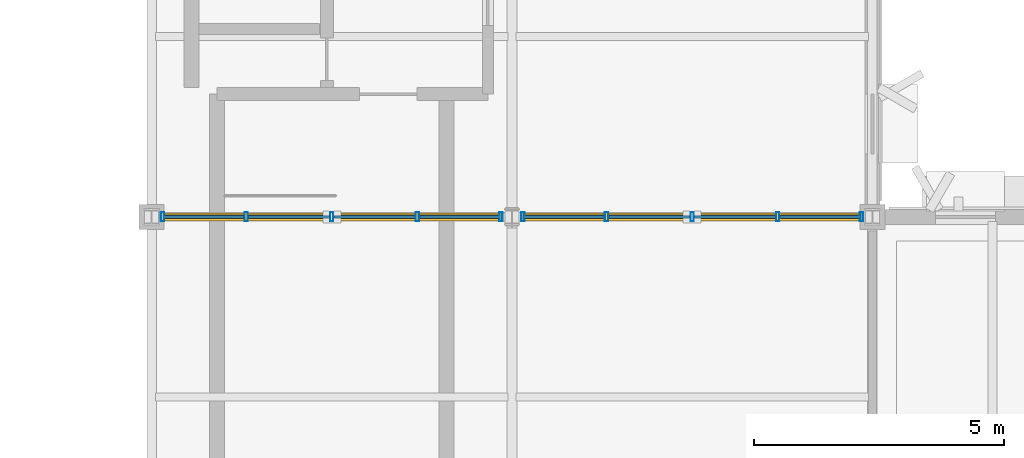
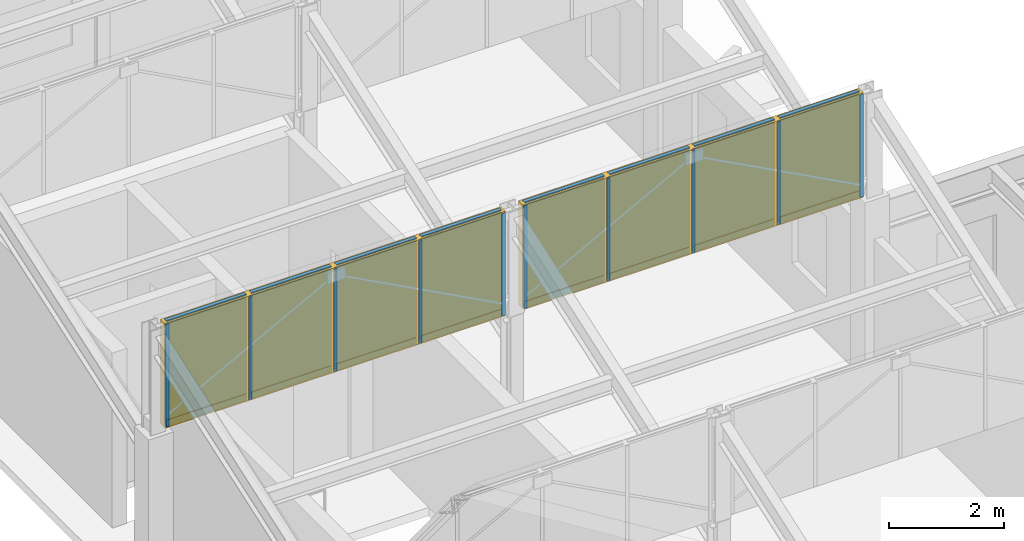
# One storey, part 52 of 82: 26 members, 8 plates, 2 curtain walls.
"""IFC4 building model written with IfcOpenShell, lengths in metres."""

from ifc_helpers import new_model, si_unit, direction, frame, origin, origin_2d, place, context, subcontext, project, spatial, rectangle, hollow_rectangle, extrude, material, layer, layer_set, material_profile, profile_set, type_object, element, aggregate, save


model = new_model("IFC4")

# Units and contexts
model_context = context("Model", 3, precision=1e-05, world=origin(), true_north=direction((0.0, 1.0)))
body_context = subcontext(model_context, "Body", "Model", "MODEL_VIEW")
ifc_project = project(units=[si_unit("LENGTHUNIT", "METRE"), si_unit("AREAUNIT", "SQUARE_METRE"), si_unit("VOLUMEUNIT", "CUBIC_METRE"), si_unit("PLANEANGLEUNIT", "RADIAN"), si_unit("MASSUNIT", "GRAM", prefix="KILO")], contexts=[model_context])

# Member
ifc_material_1 = material(Name="Anodized Aluminium 6063-T6", Category="aluminium")
ifc_material_profile_1 = material_profile(ifc_material_1, hollow_rectangle(XDim=0.06494140625, YDim=0.179931640625, WallThickness=0.00390625, at=origin_2d()), Name="ALU 65x180x4")
ifc_profile_set_1 = profile_set([ifc_material_profile_1], Name="Anodized Aluminium 6063-T6")
member_type_1 = type_object("IfcMemberType", Name="CWM-65X150", PredefinedType="MULLION", material=ifc_profile_set_1)
site_placement = place(None, origin())
building_placement = place(site_placement, origin())
storey_placement = place(building_placement, frame((0.0, 0.0, 14.10009765625)))
member_1_placement = place(storey_placement, frame((122.6201171875, 57.60009765625, 3.919921875), z_axis=(0.0, 0.0, 1.0), x_axis=(1.0, 0.0, 0.0)))
member_1 = element("IfcMember", 1, at=member_1_placement, type_object=member_type_1, Name="Curtain wall mullion CW-CLER-17-07-00", PredefinedType="MULLION", context=body_context, shape_type="SweptSolid", body=[
    extrude(hollow_rectangle(XDim=0.06494140625, YDim=0.179931640625, WallThickness=0.00390625, at=origin_2d()), origin(), (0.0, 0.0, 1.0), 2.179931640625),
])

member_2_placement = place(storey_placement, frame((124.2900390625, 57.60009765625, 3.919921875), z_axis=(0.0, 0.0, 1.0), x_axis=(1.0, 0.0, 0.0)))
member_2 = element("IfcMember", 2, at=member_2_placement, type_object=member_type_1, Name="Curtain wall mullion CW-CLER-17-07-01", PredefinedType="MULLION", context=body_context, shape_type="SweptSolid", body=[
    extrude(hollow_rectangle(XDim=0.06494140625, YDim=0.179931640625, WallThickness=0.00390625, at=origin_2d()), origin(), (0.0, 0.0, 1.0), 2.179931640625),
])

member_3_placement = place(storey_placement, frame((126.0, 57.60009765625, 3.919921875), z_axis=(0.0, 0.0, 1.0), x_axis=(1.0, 0.0, 0.0)))
member_3 = element("IfcMember", 3, at=member_3_placement, type_object=member_type_1, Name="Curtain wall mullion CW-CLER-17-07-02", PredefinedType="MULLION", context=body_context, shape_type="SweptSolid", body=[
    extrude(hollow_rectangle(XDim=0.06494140625, YDim=0.179931640625, WallThickness=0.00390625, at=origin_2d()), origin(), (0.0, 0.0, 1.0), 2.179931640625),
])

member_4_placement = place(storey_placement, frame((127.7099609375, 57.60009765625, 3.919921875), z_axis=(0.0, 0.0, 1.0), x_axis=(1.0, 0.0, 0.0)))
member_4 = element("IfcMember", 4, at=member_4_placement, type_object=member_type_1, Name="Curtain wall mullion CW-CLER-17-07-03", PredefinedType="MULLION", context=body_context, shape_type="SweptSolid", body=[
    extrude(hollow_rectangle(XDim=0.06494140625, YDim=0.179931640625, WallThickness=0.00390625, at=origin_2d()), origin(), (0.0, 0.0, 1.0), 2.179931640625),
])

member_5_placement = place(storey_placement, frame((129.3798828125, 57.60009765625, 3.919921875), z_axis=(0.0, 0.0, 1.0), x_axis=(1.0, 0.0, 0.0)))
member_5 = element("IfcMember", 5, at=member_5_placement, type_object=member_type_1, Name="Curtain wall mullion CW-CLER-17-07-04", PredefinedType="MULLION", context=body_context, shape_type="SweptSolid", body=[
    extrude(hollow_rectangle(XDim=0.06494140625, YDim=0.179931640625, WallThickness=0.00390625, at=origin_2d()), origin(), (0.0, 0.0, 1.0), 2.179931640625),
])

member_6_placement = place(storey_placement, frame((129.820068359375, 57.60009765625, 3.919921875), z_axis=(0.0, 0.0, 1.0), x_axis=(1.0, 0.0, 0.0)))
member_6 = element("IfcMember", 6, at=member_6_placement, type_object=member_type_1, Name="Curtain wall mullion CW-CLER-18-07-00", PredefinedType="MULLION", context=body_context, shape_type="SweptSolid", body=[
    extrude(hollow_rectangle(XDim=0.06494140625, YDim=0.179931640625, WallThickness=0.00390625, at=origin_2d()), origin(), (0.0, 0.0, 1.0), 2.179931640625),
])

member_7_placement = place(storey_placement, frame((131.489990234375, 57.60009765625, 3.919921875), z_axis=(0.0, 0.0, 1.0), x_axis=(1.0, 0.0, 0.0)))
member_7 = element("IfcMember", 7, at=member_7_placement, type_object=member_type_1, Name="Curtain wall mullion CW-CLER-18-07-01", PredefinedType="MULLION", context=body_context, shape_type="SweptSolid", body=[
    extrude(hollow_rectangle(XDim=0.06494140625, YDim=0.179931640625, WallThickness=0.00390625, at=origin_2d()), origin(), (0.0, 0.0, 1.0), 2.179931640625),
])

member_8_placement = place(storey_placement, frame((133.199951171875, 57.60009765625, 3.919921875), z_axis=(0.0, 0.0, 1.0), x_axis=(1.0, 0.0, 0.0)))
member_8 = element("IfcMember", 8, at=member_8_placement, type_object=member_type_1, Name="Curtain wall mullion CW-CLER-18-07-02", PredefinedType="MULLION", context=body_context, shape_type="SweptSolid", body=[
    extrude(hollow_rectangle(XDim=0.06494140625, YDim=0.179931640625, WallThickness=0.00390625, at=origin_2d()), origin(), (0.0, 0.0, 1.0), 2.179931640625),
])

member_9_placement = place(storey_placement, frame((134.909912109375, 57.60009765625, 3.919921875), z_axis=(0.0, 0.0, 1.0), x_axis=(1.0, 0.0, 0.0)))
member_9 = element("IfcMember", 9, at=member_9_placement, type_object=member_type_1, Name="Curtain wall mullion CW-CLER-18-07-03", PredefinedType="MULLION", context=body_context, shape_type="SweptSolid", body=[
    extrude(hollow_rectangle(XDim=0.06494140625, YDim=0.179931640625, WallThickness=0.00390625, at=origin_2d()), origin(), (0.0, 0.0, 1.0), 2.179931640625),
])

member_10_placement = place(storey_placement, frame((136.580078125, 57.60009765625, 3.919921875), z_axis=(0.0, 0.0, 1.0), x_axis=(1.0, 0.0, 0.0)))
member_10 = element("IfcMember", 10, at=member_10_placement, type_object=member_type_1, Name="Curtain wall mullion CW-CLER-18-07-04", PredefinedType="MULLION", context=body_context, shape_type="SweptSolid", body=[
    extrude(hollow_rectangle(XDim=0.06494140625, YDim=0.179931640625, WallThickness=0.00390625, at=origin_2d()), origin(), (0.0, 0.0, 1.0), 2.179931640625),
])

ifc_material_profile_2 = material_profile(ifc_material_1, hollow_rectangle(XDim=0.06494140625, YDim=0.139892578125, WallThickness=0.00390625, at=origin_2d()), Name="ALU 65x140x4")
ifc_profile_set_2 = profile_set([ifc_material_profile_2], Name="Anodized Aluminium 6063-T6")
member_type_2 = type_object("IfcMemberType", Name="CWT-65X120", PredefinedType="USERDEFINED", material=ifc_profile_set_2)
member_11_placement = place(storey_placement, frame((122.6298828125, 57.60009765625, 3.949951171875), z_axis=(1.0, 0.0, 0.0), x_axis=(0.0, 1.0, 0.0)))
member_11 = element("IfcMember", 11, at=member_11_placement, type_object=member_type_2, Name="Curtain wall transom CW-CLER-17-07-1.01", ObjectType="TRANSOM", PredefinedType="USERDEFINED", context=body_context, shape_type="SweptSolid", body=[
    extrude(hollow_rectangle(XDim=0.06494140625, YDim=0.139892578125, WallThickness=0.00390625, at=origin_2d()), origin(), (0.0, 0.0, 1.0), 1.610107421875),
])

member_12_placement = place(storey_placement, frame((124.340087890625, 57.60009765625, 3.949951171875), z_axis=(1.0, 0.0, 0.0), x_axis=(0.0, 1.0, 0.0)))
member_12 = element("IfcMember", 12, at=member_12_placement, type_object=member_type_2, Name="Curtain wall transom CW-CLER-17-07-1.02", ObjectType="TRANSOM", PredefinedType="USERDEFINED", context=body_context, shape_type="SweptSolid", body=[
    extrude(hollow_rectangle(XDim=0.06494140625, YDim=0.139892578125, WallThickness=0.00390625, at=origin_2d()), origin(), (0.0, 0.0, 1.0), 1.60986328125),
])

member_13_placement = place(storey_placement, frame((126.050048828125, 57.60009765625, 3.949951171875), z_axis=(1.0, 0.0, 0.0), x_axis=(0.0, 1.0, 0.0)))
member_13 = element("IfcMember", 13, at=member_13_placement, type_object=member_type_2, Name="Curtain wall transom CW-CLER-17-07-1.03", ObjectType="TRANSOM", PredefinedType="USERDEFINED", context=body_context, shape_type="SweptSolid", body=[
    extrude(hollow_rectangle(XDim=0.06494140625, YDim=0.139892578125, WallThickness=0.00390625, at=origin_2d()), origin(), (0.0, 0.0, 1.0), 1.60986328125),
])

member_14_placement = place(storey_placement, frame((127.760009765625, 57.60009765625, 3.949951171875), z_axis=(1.0, 0.0, 0.0), x_axis=(0.0, 1.0, 0.0)))
member_14 = element("IfcMember", 14, at=member_14_placement, type_object=member_type_2, Name="Curtain wall transom CW-CLER-17-07-1.04", ObjectType="TRANSOM", PredefinedType="USERDEFINED", context=body_context, shape_type="SweptSolid", body=[
    extrude(hollow_rectangle(XDim=0.06494140625, YDim=0.139892578125, WallThickness=0.00390625, at=origin_2d()), origin(), (0.0, 0.0, 1.0), 1.610107421875),
])

member_15_placement = place(storey_placement, frame((122.6298828125, 57.60009765625, 6.06982421875), z_axis=(1.0, 0.0, 0.0), x_axis=(0.0, 1.0, 0.0)))
member_15 = element("IfcMember", 15, at=member_15_placement, type_object=member_type_2, Name="Curtain wall transom CW-CLER-17-07-2.01", ObjectType="TRANSOM", PredefinedType="USERDEFINED", context=body_context, shape_type="SweptSolid", body=[
    extrude(hollow_rectangle(XDim=0.06494140625, YDim=0.139892578125, WallThickness=0.00390625, at=origin_2d()), origin(), (0.0, 0.0, 1.0), 1.610107421875),
])

member_16_placement = place(storey_placement, frame((124.340087890625, 57.60009765625, 6.06982421875), z_axis=(1.0, 0.0, 0.0), x_axis=(0.0, 1.0, 0.0)))
member_16 = element("IfcMember", 16, at=member_16_placement, type_object=member_type_2, Name="Curtain wall transom CW-CLER-17-07-2.02", ObjectType="TRANSOM", PredefinedType="USERDEFINED", context=body_context, shape_type="SweptSolid", body=[
    extrude(hollow_rectangle(XDim=0.06494140625, YDim=0.139892578125, WallThickness=0.00390625, at=origin_2d()), origin(), (0.0, 0.0, 1.0), 1.60986328125),
])

member_17_placement = place(storey_placement, frame((126.050048828125, 57.60009765625, 6.06982421875), z_axis=(1.0, 0.0, 0.0), x_axis=(0.0, 1.0, 0.0)))
member_17 = element("IfcMember", 17, at=member_17_placement, type_object=member_type_2, Name="Curtain wall transom CW-CLER-17-07-2.03", ObjectType="TRANSOM", PredefinedType="USERDEFINED", context=body_context, shape_type="SweptSolid", body=[
    extrude(hollow_rectangle(XDim=0.06494140625, YDim=0.139892578125, WallThickness=0.00390625, at=origin_2d()), origin(), (0.0, 0.0, 1.0), 1.60986328125),
])

member_18_placement = place(storey_placement, frame((127.760009765625, 57.60009765625, 6.06982421875), z_axis=(1.0, 0.0, 0.0), x_axis=(0.0, 1.0, 0.0)))
member_18 = element("IfcMember", 18, at=member_18_placement, type_object=member_type_2, Name="Curtain wall transom CW-CLER-17-07-2.04", ObjectType="TRANSOM", PredefinedType="USERDEFINED", context=body_context, shape_type="SweptSolid", body=[
    extrude(hollow_rectangle(XDim=0.06494140625, YDim=0.139892578125, WallThickness=0.00390625, at=origin_2d()), origin(), (0.0, 0.0, 1.0), 1.610107421875),
])

member_19_placement = place(storey_placement, frame((129.830078125, 57.60009765625, 3.949951171875), z_axis=(1.0, 0.0, 0.0), x_axis=(0.0, 1.0, 0.0)))
member_19 = element("IfcMember", 19, at=member_19_placement, type_object=member_type_2, Name="Curtain wall transom CW-CLER-18-07-1.01", ObjectType="TRANSOM", PredefinedType="USERDEFINED", context=body_context, shape_type="SweptSolid", body=[
    extrude(hollow_rectangle(XDim=0.06494140625, YDim=0.139892578125, WallThickness=0.00390625, at=origin_2d()), origin(), (0.0, 0.0, 1.0), 1.60986328125),
])

member_20_placement = place(storey_placement, frame((131.5400390625, 57.60009765625, 3.949951171875), z_axis=(1.0, 0.0, 0.0), x_axis=(0.0, 1.0, 0.0)))
member_20 = element("IfcMember", 20, at=member_20_placement, type_object=member_type_2, Name="Curtain wall transom CW-CLER-18-07-1.02", ObjectType="TRANSOM", PredefinedType="USERDEFINED", context=body_context, shape_type="SweptSolid", body=[
    extrude(hollow_rectangle(XDim=0.06494140625, YDim=0.139892578125, WallThickness=0.00390625, at=origin_2d()), origin(), (0.0, 0.0, 1.0), 1.60986328125),
])

member_21_placement = place(storey_placement, frame((133.25, 57.60009765625, 3.949951171875), z_axis=(1.0, 0.0, 0.0), x_axis=(0.0, 1.0, 0.0)))
member_21 = element("IfcMember", 21, at=member_21_placement, type_object=member_type_2, Name="Curtain wall transom CW-CLER-18-07-1.03", ObjectType="TRANSOM", PredefinedType="USERDEFINED", context=body_context, shape_type="SweptSolid", body=[
    extrude(hollow_rectangle(XDim=0.06494140625, YDim=0.139892578125, WallThickness=0.00390625, at=origin_2d()), origin(), (0.0, 0.0, 1.0), 1.610107421875),
])

member_22_placement = place(storey_placement, frame((134.9599609375, 57.60009765625, 3.949951171875), z_axis=(1.0, 0.0, 0.0), x_axis=(0.0, 1.0, 0.0)))
member_22 = element("IfcMember", 22, at=member_22_placement, type_object=member_type_2, Name="Curtain wall transom CW-CLER-18-07-1.04", ObjectType="TRANSOM", PredefinedType="USERDEFINED", context=body_context, shape_type="SweptSolid", body=[
    extrude(hollow_rectangle(XDim=0.06494140625, YDim=0.139892578125, WallThickness=0.00390625, at=origin_2d()), origin(), (0.0, 0.0, 1.0), 1.610107421875),
])

member_23_placement = place(storey_placement, frame((129.830078125, 57.60009765625, 6.06982421875), z_axis=(1.0, 0.0, 0.0), x_axis=(0.0, 1.0, 0.0)))
member_23 = element("IfcMember", 23, at=member_23_placement, type_object=member_type_2, Name="Curtain wall transom CW-CLER-18-07-2.01", ObjectType="TRANSOM", PredefinedType="USERDEFINED", context=body_context, shape_type="SweptSolid", body=[
    extrude(hollow_rectangle(XDim=0.06494140625, YDim=0.139892578125, WallThickness=0.00390625, at=origin_2d()), origin(), (0.0, 0.0, 1.0), 1.60986328125),
])

member_24_placement = place(storey_placement, frame((131.5400390625, 57.60009765625, 6.06982421875), z_axis=(1.0, 0.0, 0.0), x_axis=(0.0, 1.0, 0.0)))
member_24 = element("IfcMember", 24, at=member_24_placement, type_object=member_type_2, Name="Curtain wall transom CW-CLER-18-07-2.02", ObjectType="TRANSOM", PredefinedType="USERDEFINED", context=body_context, shape_type="SweptSolid", body=[
    extrude(hollow_rectangle(XDim=0.06494140625, YDim=0.139892578125, WallThickness=0.00390625, at=origin_2d()), origin(), (0.0, 0.0, 1.0), 1.60986328125),
])

member_25_placement = place(storey_placement, frame((133.25, 57.60009765625, 6.06982421875), z_axis=(1.0, 0.0, 0.0), x_axis=(0.0, 1.0, 0.0)))
member_25 = element("IfcMember", 25, at=member_25_placement, type_object=member_type_2, Name="Curtain wall transom CW-CLER-18-07-2.03", ObjectType="TRANSOM", PredefinedType="USERDEFINED", context=body_context, shape_type="SweptSolid", body=[
    extrude(hollow_rectangle(XDim=0.06494140625, YDim=0.139892578125, WallThickness=0.00390625, at=origin_2d()), origin(), (0.0, 0.0, 1.0), 1.610107421875),
])

member_26_placement = place(storey_placement, frame((134.9599609375, 57.60009765625, 6.06982421875), z_axis=(1.0, 0.0, 0.0), x_axis=(0.0, 1.0, 0.0)))
member_26 = element("IfcMember", 26, at=member_26_placement, type_object=member_type_2, Name="Curtain wall transom CW-CLER-18-07-2.04", ObjectType="TRANSOM", PredefinedType="USERDEFINED", context=body_context, shape_type="SweptSolid", body=[
    extrude(hollow_rectangle(XDim=0.06494140625, YDim=0.139892578125, WallThickness=0.00390625, at=origin_2d()), origin(), (0.0, 0.0, 1.0), 1.610107421875),
])

# Plate
ifc_material_2 = material(Name="North-Light Clear Diffusing Glazing", Category="glass")
ifc_layer = layer(ifc_material_2, 0.035888671875)
ifc_layer_set = layer_set([ifc_layer], Name="North-Light Clear Diffusing Glazing")
plate_type = type_object("IfcPlateType", Name="CWP-IGU-CL", PredefinedType="CURTAIN_PANEL", material=ifc_layer_set)
plate_1_placement = place(storey_placement, frame((123.43505859375, 57.60009765625, 3.9599609375), z_axis=(0.0, 0.0, 1.0), x_axis=(1.0, 0.0, 0.0)))
plate_1 = element("IfcPlate", 27, at=plate_1_placement, type_object=plate_type, Name="Curtain wall vision glazing CW-CLER-17-07-01", PredefinedType="CURTAIN_PANEL", context=body_context, shape_type="SweptSolid", body=[
    extrude(rectangle(XDim=1.6201171875, YDim=0.0400390625, at=origin_2d()), origin(), (0.0, 0.0, 1.0), 2.10009765625),
])

plate_2_placement = place(storey_placement, frame((125.14501953125, 57.60009765625, 3.9599609375), z_axis=(0.0, 0.0, 1.0), x_axis=(1.0, 0.0, 0.0)))
plate_2 = element("IfcPlate", 28, at=plate_2_placement, type_object=plate_type, Name="Curtain wall vision glazing CW-CLER-17-07-02", PredefinedType="CURTAIN_PANEL", context=body_context, shape_type="SweptSolid", body=[
    extrude(rectangle(XDim=1.6201171875, YDim=0.0400390625, at=origin_2d()), origin(), (0.0, 0.0, 1.0), 2.10009765625),
])

plate_3_placement = place(storey_placement, frame((126.85498046875, 57.60009765625, 3.9599609375), z_axis=(0.0, 0.0, 1.0), x_axis=(1.0, 0.0, 0.0)))
plate_3 = element("IfcPlate", 29, at=plate_3_placement, type_object=plate_type, Name="Curtain wall vision glazing CW-CLER-17-07-03", PredefinedType="CURTAIN_PANEL", context=body_context, shape_type="SweptSolid", body=[
    extrude(rectangle(XDim=1.6201171875, YDim=0.0400390625, at=origin_2d()), origin(), (0.0, 0.0, 1.0), 2.10009765625),
])

plate_4_placement = place(storey_placement, frame((128.56494140625, 57.60009765625, 3.9599609375), z_axis=(0.0, 0.0, 1.0), x_axis=(1.0, 0.0, 0.0)))
plate_4 = element("IfcPlate", 30, at=plate_4_placement, type_object=plate_type, Name="Curtain wall vision glazing CW-CLER-17-07-04", PredefinedType="CURTAIN_PANEL", context=body_context, shape_type="SweptSolid", body=[
    extrude(rectangle(XDim=1.6201171875, YDim=0.0400390625, at=origin_2d()), origin(), (0.0, 0.0, 1.0), 2.10009765625),
])

plate_5_placement = place(storey_placement, frame((130.635009765625, 57.60009765625, 3.9599609375), z_axis=(0.0, 0.0, 1.0), x_axis=(1.0, 0.0, 0.0)))
plate_5 = element("IfcPlate", 31, at=plate_5_placement, type_object=plate_type, Name="Curtain wall vision glazing CW-CLER-18-07-01", PredefinedType="CURTAIN_PANEL", context=body_context, shape_type="SweptSolid", body=[
    extrude(rectangle(XDim=1.6201171875, YDim=0.0400390625, at=origin_2d()), origin(), (0.0, 0.0, 1.0), 2.10009765625),
])

plate_6_placement = place(storey_placement, frame((132.344970703125, 57.60009765625, 3.9599609375), z_axis=(0.0, 0.0, 1.0), x_axis=(1.0, 0.0, 0.0)))
plate_6 = element("IfcPlate", 32, at=plate_6_placement, type_object=plate_type, Name="Curtain wall vision glazing CW-CLER-18-07-02", PredefinedType="CURTAIN_PANEL", context=body_context, shape_type="SweptSolid", body=[
    extrude(rectangle(XDim=1.6201171875, YDim=0.0400390625, at=origin_2d()), origin(), (0.0, 0.0, 1.0), 2.10009765625),
])

plate_7_placement = place(storey_placement, frame((134.054931640625, 57.60009765625, 3.9599609375), z_axis=(0.0, 0.0, 1.0), x_axis=(1.0, 0.0, 0.0)))
plate_7 = element("IfcPlate", 33, at=plate_7_placement, type_object=plate_type, Name="Curtain wall vision glazing CW-CLER-18-07-03", PredefinedType="CURTAIN_PANEL", context=body_context, shape_type="SweptSolid", body=[
    extrude(rectangle(XDim=1.6201171875, YDim=0.0400390625, at=origin_2d()), origin(), (0.0, 0.0, 1.0), 2.10009765625),
])

plate_8_placement = place(storey_placement, frame((135.764892578125, 57.60009765625, 3.9599609375), z_axis=(0.0, 0.0, 1.0), x_axis=(1.0, 0.0, 0.0)))
plate_8 = element("IfcPlate", 34, at=plate_8_placement, type_object=plate_type, Name="Curtain wall vision glazing CW-CLER-18-07-04", PredefinedType="CURTAIN_PANEL", context=body_context, shape_type="SweptSolid", body=[
    extrude(rectangle(XDim=1.6201171875, YDim=0.0400390625, at=origin_2d()), origin(), (0.0, 0.0, 1.0), 2.10009765625),
])

# Site, building, storey
site = spatial("IfcSite", under=ifc_project, at=site_placement, CompositionType="ELEMENT")
building = spatial("IfcBuilding", under=site, at=building_placement, Name="Sillqori Civic Hall", CompositionType="ELEMENT")
storey = spatial("IfcBuildingStorey", under=building, at=storey_placement, Name="L04", CompositionType="ELEMENT", Elevation=14.10009765625)

# Curtain wall
ifc_material_3 = material(Name="Anodized Aluminium Curtain Wall System", Category="aluminium")
curtain_wall_type = type_object("IfcCurtainWallType", Name="CW-CL-205", PredefinedType="NOTDEFINED", material=ifc_material_3)
curtain_wall_1_placement = place(storey_placement, frame((126.0, 57.60009765625, 3.89990234375), z_axis=(0.0, 0.0, 1.0), x_axis=(1.0, 0.0, 0.0)))
curtain_wall_1 = element("IfcCurtainWall", 35, at=curtain_wall_1_placement, inside=storey, type_object=curtain_wall_type, Name="L04 unitised curtain wall CW-CLER-17-07", PredefinedType="NOTDEFINED", context=body_context, shape_type="SweptSolid", body=[
    extrude(rectangle(XDim=6.840087890625, YDim=0.159912109375, at=origin_2d()), origin(), (0.0, 0.0, 1.0), 2.219970703125),
])

aggregate(curtain_wall_1, [member_1, member_2, member_3, member_4, member_5, member_11, member_12, member_13, member_14, member_15, member_16, member_17, member_18, plate_1, plate_2, plate_3, plate_4])

curtain_wall_2_placement = place(storey_placement, frame((133.199951171875, 57.60009765625, 3.89990234375), z_axis=(0.0, 0.0, 1.0), x_axis=(1.0, 0.0, 0.0)))
curtain_wall_2 = element("IfcCurtainWall", 36, at=curtain_wall_2_placement, inside=storey, type_object=curtain_wall_type, Name="L04 unitised curtain wall CW-CLER-18-07", PredefinedType="NOTDEFINED", context=body_context, shape_type="SweptSolid", body=[
    extrude(rectangle(XDim=6.840087890625, YDim=0.159912109375, at=origin_2d()), origin(), (0.0, 0.0, 1.0), 2.219970703125),
])

aggregate(curtain_wall_2, [member_6, member_7, member_8, member_9, member_10, member_19, member_20, member_21, member_22, member_23, member_24, member_25, member_26, plate_5, plate_6, plate_7, plate_8])

save(model, "model.ifc")
